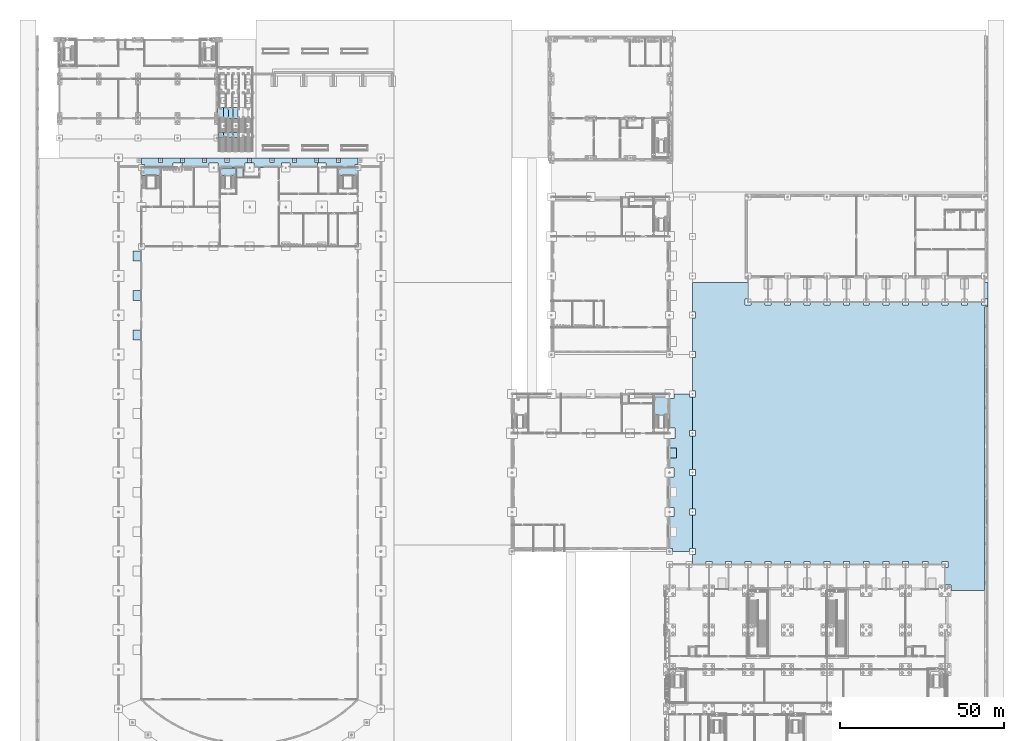
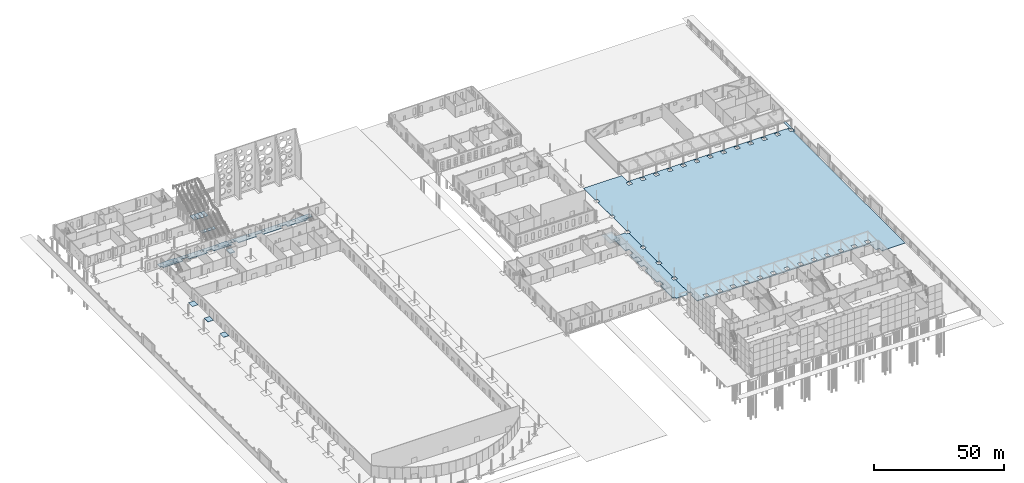
# One storey, part 56 of 132: 16 slabs, 4 plates, 8 elements without a shape of their own.
"""IFC4 building model written with IfcOpenShell, lengths in metres."""

from ifc_helpers import new_model, si_unit, direction, frame, origin, origin_2d, place, context, subcontext, project, spatial, polyline, rectangle, outline, extrude, material, layer, layer_set, type_object, element, aggregate, save


model = new_model("IFC4")

# Units and contexts
model_context = context("Model", 3, precision=1e-05, world=origin(), true_north=direction((0.0, 1.0)))
body_context = subcontext(model_context, "Body", "Model", "MODEL_VIEW")
ifc_project = project(units=[si_unit("LENGTHUNIT", "METRE"), si_unit("AREAUNIT", "SQUARE_METRE"), si_unit("VOLUMEUNIT", "CUBIC_METRE"), si_unit("PLANEANGLEUNIT", "RADIAN"), si_unit("MASSUNIT", "GRAM", prefix="KILO")], contexts=[model_context])

# Site, building, storey
site_placement = place(None, origin())
site = spatial("IfcSite", under=ifc_project, at=site_placement, CompositionType="ELEMENT")
building_placement = place(site_placement, origin())
building = spatial("IfcBuilding", under=site, at=building_placement, Name="Ravi Spectrum Wholesale Market", CompositionType="ELEMENT")
storey_placement = place(building_placement, origin())
storey = spatial("IfcBuildingStorey", under=building, at=storey_placement, Name="L00", CompositionType="ELEMENT", Elevation=0.0)

# Slab
ifc_material_1 = material(Name="Concrete C30/37", Category="concrete")
ifc_layer_1 = layer(ifc_material_1, 0.25)
ifc_layer_set_1 = layer_set([ifc_layer_1], Name="Concrete C30/37")
slab_type_1 = type_object("IfcSlabType", Name="Concrete paving C30/37 250", PredefinedType="BASESLAB", material=ifc_layer_set_1)
slab_1_placement = place(storey_placement, frame((0.0, 0.0, -0.25)))
element("IfcSlab", 1, at=slab_1_placement, inside=storey, type_object=slab_type_1, Name="Service Yard Paving", PredefinedType="BASESLAB", context=body_context, shape_type="SweptSolid", body=[
    extrude(outline(polyline([(205.89990234375, 77.10009765625), (205.0, 77.10009765625), (205.0, 72.5), (282.0, 72.5), (282.0, 67.800048828125), (283.800048828125, 67.800048828125), (283.800048828125, 66.0), (294.10009765625, 66.0), (294.10009765625, 152.5), (295.10009765625, 152.5), (295.10009765625, 160.0), (294.0, 160.0), (294.0, 155.4599609375), (222.0, 155.4599609375), (222.0, 160.0), (205.0, 160.0), (205.0, 150.89990234375), (205.89990234375, 150.89990234375), (205.89990234375, 149.10009765625), (205.0, 149.10009765625), (205.0, 138.89990234375), (205.89990234375, 138.89990234375), (205.89990234375, 137.10009765625), (205.0, 137.10009765625), (205.0, 126.89990234375), (205.89990234375, 126.89990234375), (205.89990234375, 125.10009765625), (205.0, 125.10009765625), (205.0, 114.89990234375), (205.89990234375, 114.89990234375), (205.89990234375, 113.10009765625), (205.0, 113.10009765625), (205.0, 102.89990234375), (205.89990234375, 102.89990234375), (205.89990234375, 101.10009765625), (205.0, 101.10009765625), (205.0, 90.89990234375), (205.89990234375, 90.89990234375), (205.89990234375, 89.10009765625), (205.0, 89.10009765625), (205.0, 78.89990234375), (205.89990234375, 78.89990234375), (205.89990234375, 77.10009765625)]), holes=[polyline([(294.89990234375, 153.10009765625), (293.10009765625, 153.10009765625), (293.10009765625, 154.89990234375), (294.89990234375, 154.89990234375), (294.89990234375, 153.10009765625)]), polyline([(287.10009765625, 153.10009765625), (287.10009765625, 154.89990234375), (288.89990234375, 154.89990234375), (288.89990234375, 153.10009765625), (287.10009765625, 153.10009765625)]), polyline([(282.89990234375, 153.10009765625), (281.10009765625, 153.10009765625), (281.10009765625, 154.89990234375), (282.89990234375, 154.89990234375), (282.89990234375, 153.10009765625)]), polyline([(281.10009765625, 73.10009765625), (281.10009765625, 74.89990234375), (282.89990234375, 74.89990234375), (282.89990234375, 73.10009765625), (281.10009765625, 73.10009765625)]), polyline([(275.10009765625, 153.10009765625), (275.10009765625, 154.89990234375), (276.89990234375, 154.89990234375), (276.89990234375, 153.10009765625), (275.10009765625, 153.10009765625)]), polyline([(275.10009765625, 73.10009765625), (275.10009765625, 74.89990234375), (276.89990234375, 74.89990234375), (276.89990234375, 73.10009765625), (275.10009765625, 73.10009765625)]), polyline([(269.10009765625, 153.10009765625), (269.10009765625, 154.89990234375), (270.89990234375, 154.89990234375), (270.89990234375, 153.10009765625), (269.10009765625, 153.10009765625)]), polyline([(270.89990234375, 73.10009765625), (269.10009765625, 73.10009765625), (269.10009765625, 74.89990234375), (270.89990234375, 74.89990234375), (270.89990234375, 73.10009765625)]), polyline([(263.10009765625, 153.10009765625), (263.10009765625, 154.89990234375), (264.89990234375, 154.89990234375), (264.89990234375, 153.10009765625), (263.10009765625, 153.10009765625)]), polyline([(263.10009765625, 73.10009765625), (263.10009765625, 74.89990234375), (264.89990234375, 74.89990234375), (264.89990234375, 73.10009765625), (263.10009765625, 73.10009765625)]), polyline([(257.10009765625, 153.10009765625), (257.10009765625, 154.89990234375), (258.89990234375, 154.89990234375), (258.89990234375, 153.10009765625), (257.10009765625, 153.10009765625)]), polyline([(257.10009765625, 73.10009765625), (257.10009765625, 74.89990234375), (258.89990234375, 74.89990234375), (258.89990234375, 73.10009765625), (257.10009765625, 73.10009765625)]), polyline([(251.10009765625, 73.10009765625), (251.10009765625, 74.89990234375), (252.89990234375, 74.89990234375), (252.89990234375, 73.10009765625), (251.10009765625, 73.10009765625)]), polyline([(252.89990234375, 153.10009765625), (251.10009765625, 153.10009765625), (251.10009765625, 154.89990234375), (252.89990234375, 154.89990234375), (252.89990234375, 153.10009765625)]), polyline([(245.10009765625, 153.10009765625), (245.10009765625, 154.89990234375), (246.89990234375, 154.89990234375), (246.89990234375, 153.10009765625), (245.10009765625, 153.10009765625)]), polyline([(246.89990234375, 73.10009765625), (245.10009765625, 73.10009765625), (245.10009765625, 74.89990234375), (246.89990234375, 74.89990234375), (246.89990234375, 73.10009765625)]), polyline([(240.89990234375, 153.10009765625), (239.10009765625, 153.10009765625), (239.10009765625, 154.89990234375), (240.89990234375, 154.89990234375), (240.89990234375, 153.10009765625)]), polyline([(239.10009765625, 73.10009765625), (239.10009765625, 74.89990234375), (240.89990234375, 74.89990234375), (240.89990234375, 73.10009765625), (239.10009765625, 73.10009765625)]), polyline([(234.89990234375, 153.10009765625), (233.10009765625, 153.10009765625), (233.10009765625, 154.89990234375), (234.89990234375, 154.89990234375), (234.89990234375, 153.10009765625)]), polyline([(233.10009765625, 73.10009765625), (233.10009765625, 74.89990234375), (234.89990234375, 74.89990234375), (234.89990234375, 73.10009765625), (233.10009765625, 73.10009765625)]), polyline([(227.10009765625, 153.10009765625), (227.10009765625, 154.89990234375), (228.89990234375, 154.89990234375), (228.89990234375, 153.10009765625), (227.10009765625, 153.10009765625)]), polyline([(228.89990234375, 73.10009765625), (227.10009765625, 73.10009765625), (227.10009765625, 74.89990234375), (228.89990234375, 74.89990234375), (228.89990234375, 73.10009765625)]), polyline([(222.89990234375, 153.10009765625), (221.10009765625, 153.10009765625), (221.10009765625, 154.89990234375), (222.89990234375, 154.89990234375), (222.89990234375, 153.10009765625)]), polyline([(221.10009765625, 73.10009765625), (221.10009765625, 74.89990234375), (222.89990234375, 74.89990234375), (222.89990234375, 73.10009765625), (221.10009765625, 73.10009765625)]), polyline([(216.89990234375, 73.10009765625), (215.10009765625, 73.10009765625), (215.10009765625, 74.89990234375), (216.89990234375, 74.89990234375), (216.89990234375, 73.10009765625)]), polyline([(209.10009765625, 73.10009765625), (209.10009765625, 74.89990234375), (210.89990234375, 74.89990234375), (210.89990234375, 73.10009765625), (209.10009765625, 73.10009765625)])]), origin(), (0.0, 0.0, 1.0), 0.25),
])

# Plates
ifc_material_2 = material(Name="Steel S355", Category="steel")
ifc_layer_2 = layer(ifc_material_2, 0.030029296875)
ifc_layer_set_2 = layer_set([ifc_layer_2], Name="Steel S355")
plate_type = type_object("IfcPlateType", Name="Dock leveller plate", PredefinedType="SHEET", material=ifc_layer_set_2)
for number, where, z_axis, x_axis, name in (
    (2, (35.6298828125, 144.0, 0.0), (0.0, 0.0, 1.0), (1.0, 0.0, 0.0), "H1-PL-L00-009"),
    (3, (35.6298828125, 156.0, 0.0), (0.0, 0.0, 1.0), (1.0, 0.0, 0.0), "H1-PL-L00-010"),
    (4, (35.6298828125, 168.0, 0.0), (0.0, 0.0, 1.0), (1.0, 0.0, 0.0), "H1-PL-L00-011"),
    (5, (198.976806640625, 108.0, 0.0), (0.0, 0.0, 1.0), (1.0, 0.0, 0.0), "H2-PL-L00-003"),
):
    element("IfcPlate", number, at=place(storey_placement, frame(where, z_axis=z_axis, x_axis=x_axis)), inside=storey, type_object=plate_type, Name=name, PredefinedType="SHEET", context=body_context, shape_type="SweptSolid", body=[
        extrude(rectangle(XDim=2.39990234375, YDim=3.0, at=origin_2d()), origin(), (0.0, 0.0, 1.0), 0.030029296875),
    ])

# Slabs
ifc_material_3 = material(Name="Concrete C35/45", Category="concrete")
ifc_layer_3 = layer(ifc_material_3, 0.300048828125)
ifc_layer_set_3 = layer_set([ifc_layer_3], Name="Concrete C35/45")
slab_type_2 = type_object("IfcSlabType", Name="Paved ground slab 300", PredefinedType="FLOOR", material=ifc_layer_set_3)
slab_2_placement = place(storey_placement, frame((0.0, 0.0, -0.300048828125)))
element("IfcSlab", 6, at=slab_2_placement, inside=storey, type_object=slab_type_2, Name="North apron slab", PredefinedType="FLOOR", context=body_context, shape_type="SweptSolid", body=[
    extrude(outline(polyline([(37.89990234375, 195.0), (37.89990234375, 195.89990234375), (37.0, 195.89990234375), (37.0, 198.0), (103.0, 198.0), (103.0, 195.89990234375), (102.10009765625, 195.89990234375), (102.10009765625, 195.0), (93.35009765625, 195.0), (93.35009765625, 196.35009765625), (90.64990234375, 196.35009765625), (90.64990234375, 195.0), (82.35009765625, 195.0), (82.35009765625, 196.35009765625), (79.64990234375, 196.35009765625), (79.64990234375, 195.0), (71.35009765625, 195.0), (71.35009765625, 196.35009765625), (68.64990234375, 196.35009765625), (68.64990234375, 195.0), (60.35009765625, 195.0), (60.35009765625, 196.35009765625), (57.64990234375, 196.35009765625), (57.64990234375, 195.0), (49.35009765625, 195.0), (49.35009765625, 196.35009765625), (46.64990234375, 196.35009765625), (46.64990234375, 195.0), (37.89990234375, 195.0)]), holes=[polyline([(43.44775390625, 196.60009765625), (43.44775390625, 197.800048828125), (42.247802734375, 197.800048828125), (42.247802734375, 196.60009765625), (43.44775390625, 196.60009765625)]), polyline([(50.1220703125, 196.60009765625), (50.1220703125, 197.800048828125), (48.921875, 197.800048828125), (48.921875, 196.60009765625), (50.1220703125, 196.60009765625)]), polyline([(56.8935546875, 196.60009765625), (56.8935546875, 197.800048828125), (55.693603515625, 197.800048828125), (55.693603515625, 196.60009765625), (56.8935546875, 196.60009765625)]), polyline([(63.73046875, 196.60009765625), (63.73046875, 197.800048828125), (62.530517578125, 197.800048828125), (62.530517578125, 196.60009765625), (63.73046875, 196.60009765625)]), polyline([(70.60009765625, 196.60009765625), (70.60009765625, 197.800048828125), (69.39990234375, 197.800048828125), (69.39990234375, 196.60009765625), (70.60009765625, 196.60009765625)]), polyline([(77.469482421875, 196.60009765625), (77.469482421875, 197.800048828125), (76.26953125, 197.800048828125), (76.26953125, 196.60009765625), (77.469482421875, 196.60009765625)]), polyline([(84.306396484375, 196.60009765625), (84.306396484375, 197.800048828125), (83.1064453125, 197.800048828125), (83.1064453125, 196.60009765625), (84.306396484375, 196.60009765625)]), polyline([(91.078125, 196.60009765625), (91.078125, 197.800048828125), (89.8779296875, 197.800048828125), (89.8779296875, 196.60009765625), (91.078125, 196.60009765625)]), polyline([(97.752197265625, 196.60009765625), (97.752197265625, 197.800048828125), (96.55224609375, 197.800048828125), (96.55224609375, 196.60009765625), (97.752197265625, 196.60009765625)])]), origin(), (0.0, 0.0, 1.0), 0.300048828125),
])
slab_3_placement = place(storey_placement, frame((0.0, 0.0, -0.300048828125)))
element("IfcSlab", 7, at=slab_3_placement, inside=storey, type_object=slab_type_2, Name="Fish Hall dock arcade slab", PredefinedType="FLOOR", context=body_context, shape_type="SweptSolid", body=[
    extrude(outline(polyline([(198.89990234375, 78.0), (198.89990234375, 78.89990234375), (198.0, 78.89990234375), (198.0, 88.64990234375), (199.35009765625, 88.64990234375), (199.35009765625, 91.35009765625), (198.0, 91.35009765625), (198.0, 100.64990234375), (199.35009765625, 100.64990234375), (199.35009765625, 103.35009765625), (198.0, 103.35009765625), (198.0, 112.35009765625), (199.64990234375, 112.35009765625), (199.64990234375, 115.64990234375), (198.0, 115.64990234375), (198.0, 124.64990234375), (199.35009765625, 124.64990234375), (199.35009765625, 126.0), (204.10009765625, 126.0), (204.10009765625, 125.10009765625), (205.0, 125.10009765625), (205.0, 114.89990234375), (204.10009765625, 114.89990234375), (204.10009765625, 113.10009765625), (205.0, 113.10009765625), (205.0, 102.89990234375), (204.10009765625, 102.89990234375), (204.10009765625, 101.10009765625), (205.0, 101.10009765625), (205.0, 90.89990234375), (204.10009765625, 90.89990234375), (204.10009765625, 89.10009765625), (205.0, 89.10009765625), (205.0, 78.89990234375), (204.10009765625, 78.89990234375), (204.10009765625, 78.0), (198.89990234375, 78.0)])), origin(), (0.0, 0.0, 1.0), 0.300048828125),
])
ifc_material_4 = material(Name="Concrete C35/45", Category="concrete")
ifc_layer_4 = layer(ifc_material_4, 0.300048828125)
ifc_layer_set_4 = layer_set([ifc_layer_4], Name="Concrete C35/45")
slab_type_3 = type_object("IfcSlabType", Name="Pit slab 300", PredefinedType="BASESLAB", material=ifc_layer_set_4)
slab_4_placement = place(storey_placement, frame((0.0, 0.0, -1.699951171875)))
element("IfcSlab", 8, at=slab_4_placement, inside=storey, type_object=slab_type_3, Name="H1-SL-L00-LF-H1-1-PIT", PredefinedType="BASESLAB", context=body_context, shape_type="SweptSolid", body=[
    extrude(outline(polyline([(66.0, 192.050048828125), (68.14990234375, 192.050048828125), (68.14990234375, 195.0), (66.0, 195.0), (66.0, 192.050048828125)])), origin(), (0.0, 0.0, 1.0), 0.300048828125),
])

# Stair, slabs
ifc_material_5 = material(Name="Concrete C35/45", Category="concrete")
stair_type = type_object("IfcStairType", Name="Stair", PredefinedType="NOTDEFINED", material=ifc_material_5)
stair_1_placement = place(storey_placement, origin())
stair_1 = element("IfcStair", 9, at=stair_1_placement, inside=storey, type_object=stair_type, Name="GW-ST-L00-001", PredefinedType="NOTDEFINED")
ifc_material_6 = material(Name="Concrete C35/45", Category="concrete")
ifc_layer_5 = layer(ifc_material_6, 0.199951171875)
ifc_layer_set_5 = layer_set([ifc_layer_5], Name="Concrete C35/45")
slab_type_4 = type_object("IfcSlabType", Name="Stair landing 200", PredefinedType="LANDING", material=ifc_layer_set_5)
slab_5_placement = place(storey_placement, frame((0.0, 0.0, 2.5)))
slab_5 = element("IfcSlab", 10, at=slab_5_placement, type_object=slab_type_4, Name="ST-GW1 landing 1", PredefinedType="LANDING", context=body_context, shape_type="SweptSolid", body=[
    extrude(outline(polyline([(60.5, 204.199951171875), (62.0048828125, 204.199951171875), (62.0048828125, 205.699951171875), (60.5, 205.699951171875), (60.5, 204.199951171875)])), origin(), (0.0, 0.0, 1.0), 0.199951171875),
])
slab_6_placement = place(storey_placement, frame((0.0, 0.0, 5.199951171875)))
slab_6 = element("IfcSlab", 11, at=slab_6_placement, type_object=slab_type_4, Name="ST-GW1 landing 2", PredefinedType="LANDING", context=body_context, shape_type="SweptSolid", body=[
    extrude(outline(polyline([(60.25, 209.89990234375), (62.0048828125, 209.89990234375), (62.0048828125, 213.300048828125), (60.25, 213.300048828125), (60.25, 209.89990234375)])), origin(), (0.0, 0.0, 1.0), 0.199951171875),
])
aggregate(stair_1, [slab_5, slab_6])

stair_2_placement = place(storey_placement, origin())
stair_2 = element("IfcStair", 12, at=stair_2_placement, inside=storey, type_object=stair_type, Name="GW-ST-L00-002", PredefinedType="NOTDEFINED")
slab_7_placement = place(storey_placement, frame((0.0, 0.0, 2.5)))
slab_7 = element("IfcSlab", 13, at=slab_7_placement, type_object=slab_type_4, Name="ST-GW2 landing 1", PredefinedType="LANDING", context=body_context, shape_type="SweptSolid", body=[
    extrude(outline(polyline([(62.0048828125, 204.199951171875), (63.510009765625, 204.199951171875), (63.510009765625, 205.699951171875), (62.0048828125, 205.699951171875), (62.0048828125, 204.199951171875)])), origin(), (0.0, 0.0, 1.0), 0.199951171875),
])
slab_8_placement = place(storey_placement, frame((0.0, 0.0, 5.199951171875)))
slab_8 = element("IfcSlab", 14, at=slab_8_placement, type_object=slab_type_4, Name="ST-GW2 landing 2", PredefinedType="LANDING", context=body_context, shape_type="SweptSolid", body=[
    extrude(outline(polyline([(62.0048828125, 209.89990234375), (63.510009765625, 209.89990234375), (63.510009765625, 213.300048828125), (62.0048828125, 213.300048828125), (62.0048828125, 209.89990234375)])), origin(), (0.0, 0.0, 1.0), 0.199951171875),
])
aggregate(stair_2, [slab_7, slab_8])

stair_3_placement = place(storey_placement, origin())
stair_3 = element("IfcStair", 15, at=stair_3_placement, inside=storey, type_object=stair_type, Name="GW-ST-L00-003", PredefinedType="NOTDEFINED")
slab_9_placement = place(storey_placement, frame((0.0, 0.0, 2.5)))
slab_9 = element("IfcSlab", 16, at=slab_9_placement, type_object=slab_type_4, Name="ST-GW3 landing 1", PredefinedType="LANDING", context=body_context, shape_type="SweptSolid", body=[
    extrude(outline(polyline([(63.510009765625, 204.199951171875), (65.014892578125, 204.199951171875), (65.014892578125, 205.699951171875), (63.510009765625, 205.699951171875), (63.510009765625, 204.199951171875)])), origin(), (0.0, 0.0, 1.0), 0.199951171875),
])
slab_10_placement = place(storey_placement, frame((0.0, 0.0, 5.199951171875)))
slab_10 = element("IfcSlab", 17, at=slab_10_placement, type_object=slab_type_4, Name="ST-GW3 landing 2", PredefinedType="LANDING", context=body_context, shape_type="SweptSolid", body=[
    extrude(outline(polyline([(63.510009765625, 209.89990234375), (65.014892578125, 209.89990234375), (65.014892578125, 213.300048828125), (63.510009765625, 213.300048828125), (63.510009765625, 209.89990234375)])), origin(), (0.0, 0.0, 1.0), 0.199951171875),
])
aggregate(stair_3, [slab_9, slab_10])

stair_4_placement = place(storey_placement, origin())
stair_4 = element("IfcStair", 18, at=stair_4_placement, inside=storey, type_object=stair_type, Name="GW-ST-L00-004", PredefinedType="NOTDEFINED")
slab_11_placement = place(storey_placement, frame((0.0, 0.0, 2.5)))
slab_11 = element("IfcSlab", 19, at=slab_11_placement, type_object=slab_type_4, Name="ST-GW4 landing 1", PredefinedType="LANDING", context=body_context, shape_type="SweptSolid", body=[
    extrude(outline(polyline([(65.014892578125, 204.199951171875), (66.52001953125, 204.199951171875), (66.52001953125, 205.699951171875), (65.014892578125, 205.699951171875), (65.014892578125, 204.199951171875)])), origin(), (0.0, 0.0, 1.0), 0.199951171875),
])
slab_12_placement = place(storey_placement, frame((0.0, 0.0, 5.199951171875)))
slab_12 = element("IfcSlab", 20, at=slab_12_placement, type_object=slab_type_4, Name="ST-GW4 landing 2", PredefinedType="LANDING", context=body_context, shape_type="SweptSolid", body=[
    extrude(outline(polyline([(65.014892578125, 209.89990234375), (66.52001953125, 209.89990234375), (66.52001953125, 213.300048828125), (65.014892578125, 213.300048828125), (65.014892578125, 209.89990234375)])), origin(), (0.0, 0.0, 1.0), 0.199951171875),
])
aggregate(stair_4, [slab_11, slab_12])

# Stair, slab
stair_5_placement = place(storey_placement, origin())
stair_5 = element("IfcStair", 21, at=stair_5_placement, inside=storey, type_object=stair_type, Name="L00 S-H1-1", PredefinedType="HALF_TURN_STAIR")
slab_13_placement = place(storey_placement, frame((0.0, 0.0, 2.5)))
slab_13 = element("IfcSlab", 22, at=slab_13_placement, type_object=slab_type_4, Name="S-H1-1 landing 1", PredefinedType="LANDING", context=body_context, shape_type="SweptSolid", body=[
    extrude(outline(polyline([(42.89990234375, 192.52001953125), (42.89990234375, 194.89990234375), (37.10009765625, 194.89990234375), (37.10009765625, 192.52001953125), (42.89990234375, 192.52001953125)])), origin(), (0.0, 0.0, 1.0), 0.199951171875),
])
aggregate(stair_5, [slab_13])

stair_6_placement = place(storey_placement, origin())
stair_6 = element("IfcStair", 23, at=stair_6_placement, inside=storey, type_object=stair_type, Name="L00 S-H1-2", PredefinedType="HALF_TURN_STAIR")
slab_14_placement = place(storey_placement, frame((0.0, 0.0, 2.5)))
slab_14 = element("IfcSlab", 24, at=slab_14_placement, type_object=slab_type_4, Name="S-H1-2 landing 1", PredefinedType="LANDING", context=body_context, shape_type="SweptSolid", body=[
    extrude(outline(polyline([(102.89990234375, 192.52001953125), (102.89990234375, 194.89990234375), (97.10009765625, 194.89990234375), (97.10009765625, 192.52001953125), (102.89990234375, 192.52001953125)])), origin(), (0.0, 0.0, 1.0), 0.199951171875),
])
aggregate(stair_6, [slab_14])

stair_7_placement = place(storey_placement, origin())
stair_7 = element("IfcStair", 25, at=stair_7_placement, inside=storey, type_object=stair_type, Name="L00 S-H1-3", PredefinedType="HALF_TURN_STAIR")
slab_15_placement = place(storey_placement, frame((0.0, 0.0, 2.5)))
slab_15 = element("IfcSlab", 26, at=slab_15_placement, type_object=slab_type_4, Name="S-H1-3 landing 1", PredefinedType="LANDING", context=body_context, shape_type="SweptSolid", body=[
    extrude(outline(polyline([(65.89990234375, 192.52001953125), (65.89990234375, 194.89990234375), (61.10009765625, 194.89990234375), (61.10009765625, 192.52001953125), (65.89990234375, 192.52001953125)])), origin(), (0.0, 0.0, 1.0), 0.199951171875),
])
aggregate(stair_7, [slab_15])

stair_8_placement = place(storey_placement, origin())
stair_8 = element("IfcStair", 27, at=stair_8_placement, inside=storey, type_object=stair_type, Name="L00 S-H2-1", PredefinedType="HALF_TURN_STAIR")
slab_16_placement = place(storey_placement, frame((0.0, 0.0, 2.5)))
slab_16 = element("IfcSlab", 28, at=slab_16_placement, type_object=slab_type_4, Name="S-H2-1 landing 1", PredefinedType="LANDING", context=body_context, shape_type="SweptSolid", body=[
    extrude(outline(polyline([(197.89990234375, 119.52001953125), (197.89990234375, 125.89990234375), (193.300048828125, 125.89990234375), (193.300048828125, 119.52001953125), (197.89990234375, 119.52001953125)])), origin(), (0.0, 0.0, 1.0), 0.199951171875),
])
aggregate(stair_8, [slab_16])

save(model, "model.ifc")
